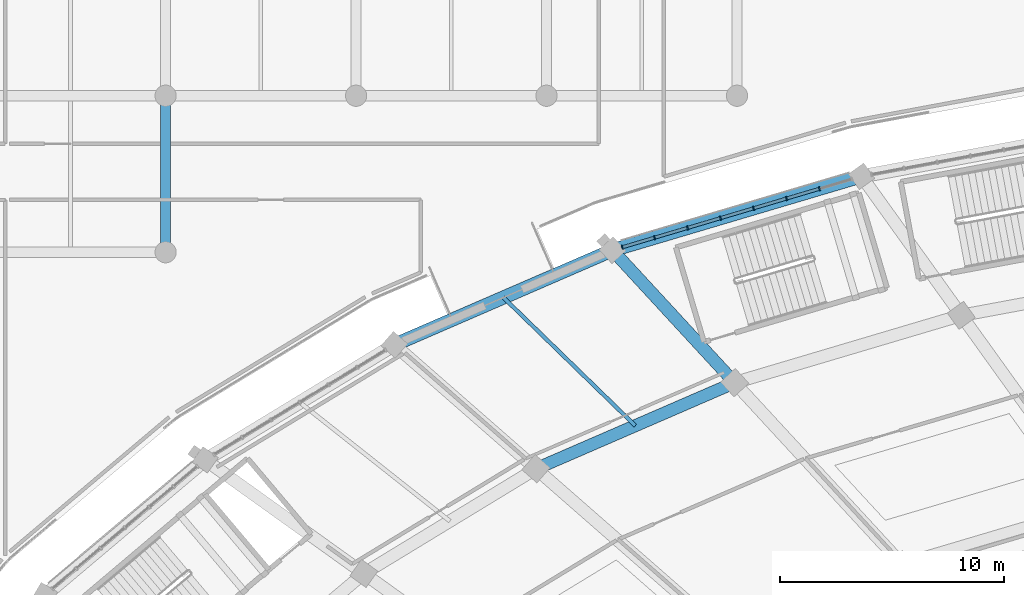
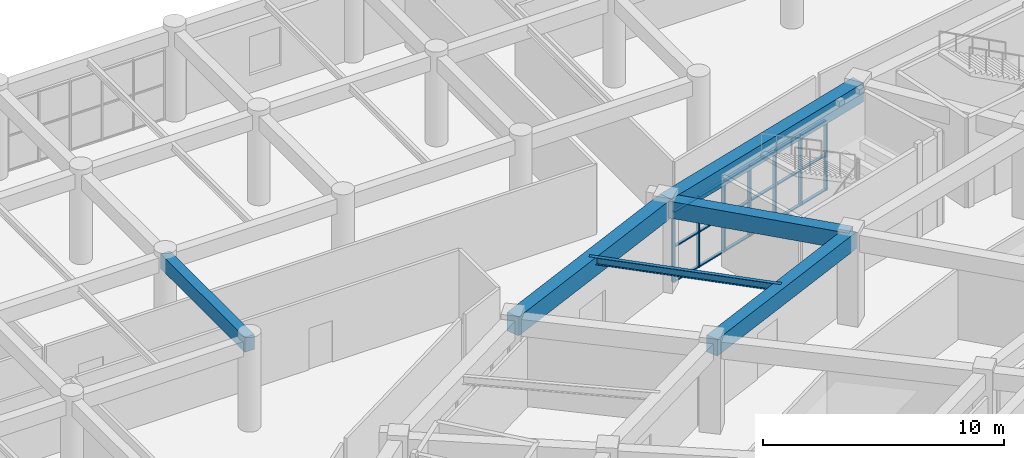
# One storey, part 59 of 152: 25 members, 6 beams, 1 element without a shape of its own.
"""IFC4 building model written with IfcOpenShell, lengths in metres."""

from ifc_helpers import new_model, si_unit, direction, frame, origin, origin_2d, place, context, subcontext, project, spatial, rectangle, i_section, extrude, material, layer, layer_set, material_profile, profile_set, type_object, element, aggregate, save


model = new_model("IFC4")

# Units and contexts
model_context = context("Model", 3, precision=1e-05, world=origin(), true_north=direction((0.0, 1.0)))
body_context = subcontext(model_context, "Body", "Model", "MODEL_VIEW")
ifc_project = project(units=[si_unit("LENGTHUNIT", "METRE"), si_unit("AREAUNIT", "SQUARE_METRE"), si_unit("VOLUMEUNIT", "CUBIC_METRE"), si_unit("PLANEANGLEUNIT", "RADIAN"), si_unit("MASSUNIT", "GRAM", prefix="KILO")], contexts=[model_context])

# Site, building, storey
site_placement = place(None, origin())
site = spatial("IfcSite", under=ifc_project, at=site_placement, CompositionType="ELEMENT")
building_placement = place(site_placement, origin())
building = spatial("IfcBuilding", under=site, at=building_placement, Name="Mphavela Belvedere Stadium", CompositionType="ELEMENT")
storey_placement = place(building_placement, frame((0.0, 0.0, 5.39990234375)))
storey = spatial("IfcBuildingStorey", under=building, at=storey_placement, Name="L01", CompositionType="ELEMENT", Elevation=5.39990234375)

# Beams
ifc_material_1 = material(Name="Concrete C40/50", Category="concrete")
ifc_material_profile_1 = material_profile(ifc_material_1, rectangle(XDim=0.60009765625, YDim=0.949951171875, at=origin_2d()), Name="RC 600x950")
ifc_profile_set_1 = profile_set([ifc_material_profile_1], Name="Concrete C40/50")
beam_type_1 = type_object("IfcBeamType", Name="BM-ENTABLATURE-950", PredefinedType="SPANDREL", material=ifc_profile_set_1)
beam_1_placement = place(storey_placement, frame((65.19873046875, 156.39697265625, 4.0751953125), z_axis=(-0.958656362639, -0.284566298727, 0.0), x_axis=(0.284566298727, -0.958656362639, 0.0)))
element("IfcBeam", 1, at=beam_1_placement, inside=storey, type_object=beam_type_1, Name="Circumferential girder L01 R4-16", PredefinedType="SPANDREL", context=body_context, shape_type="SweptSolid", body=[
    extrude(rectangle(XDim=0.60009765625, YDim=0.949951171875, at=origin_2d()), origin(), (0.0, 0.0, 1.0), 11.616455078125),
])
beam_2_placement = place(storey_placement, frame((54.0625, 153.09130859375, 4.0751953125), z_axis=(-0.91749867224, -0.397738842004, 0.0), x_axis=(0.397738842004, -0.91749867224, 0.0)))
element("IfcBeam", 2, at=beam_2_placement, inside=storey, type_object=beam_type_1, Name="Circumferential girder L01 R4-17", PredefinedType="SPANDREL", context=body_context, shape_type="SweptSolid", body=[
    extrude(rectangle(XDim=0.60009765625, YDim=0.949951171875, at=origin_2d()), origin(), (0.0, 0.0, 1.0), 10.63623046875),
])
ifc_material_2 = material(Name="Steel S355", Category="steel")
ifc_material_profile_2 = material_profile(ifc_material_2, i_section(OverallWidth=0.169921875, OverallDepth=0.360107421875, WebThickness=0.008056640625, FlangeThickness=0.0126953125, at=origin_2d()), Name="IPE 360")
ifc_profile_set_2 = profile_set([ifc_material_profile_2], Name="Steel S355")
beam_type_2 = type_object("IfcBeamType", Name="BM-JOIST-IPE360", PredefinedType="JOIST", material=ifc_profile_set_2)
beam_3_placement = place(storey_placement, frame((55.081787109375, 145.242431640625, 4.3701171875), z_axis=(-0.717067022089, 0.697004222249, 0.0), x_axis=(-0.697004222249, -0.717067022089, 0.0)))
element("IfcBeam", 3, at=beam_3_placement, inside=storey, type_object=beam_type_2, Name="Concourse floor joist L01-17", PredefinedType="JOIST", context=body_context, shape_type="SweptSolid", body=[
    extrude(i_section(OverallWidth=0.169921875, OverallDepth=0.360107421875, WebThickness=0.008056640625, FlangeThickness=0.0126953125, at=origin_2d()), origin(), (0.0, 0.0, 1.0), 8.22607421875),
])
ifc_material_3 = material(Name="Concrete C40/50", Category="concrete")
ifc_material_profile_3 = material_profile(ifc_material_3, rectangle(XDim=0.449951171875, YDim=0.75, at=origin_2d()), Name="RC 450x750")
ifc_profile_set_3 = profile_set([ifc_material_profile_3], Name="Concrete C40/50")
beam_type_3 = type_object("IfcBeamType", Name="BM-RC450x750", PredefinedType="BEAM", material=ifc_profile_set_3)
beam_4_placement = place(storey_placement, frame((34.073974609375, 153.0, 4.1650390625), z_axis=(0.0, 1.0, 0.0), x_axis=(-1.0, 0.0, 0.0)))
element("IfcBeam", 4, at=beam_4_placement, inside=storey, type_object=beam_type_3, Name="North Mast and Ceremonial End Forecourt entablature beam Y L01 5-5", PredefinedType="BEAM", context=body_context, shape_type="SweptSolid", body=[
    extrude(rectangle(XDim=0.449951171875, YDim=0.75, at=origin_2d()), origin(), (0.0, 0.0, 1.0), 7.0),
])
ifc_material_4 = material(Name="Concrete C40/50", Category="concrete")
ifc_material_profile_4 = material_profile(ifc_material_4, rectangle(XDim=0.550048828125, YDim=0.85009765625, at=origin_2d()), Name="RC 550x850")
ifc_profile_set_4 = profile_set([ifc_material_profile_4], Name="Concrete C40/50")
beam_type_4 = type_object("IfcBeamType", Name="BM-RC550x850", PredefinedType="BEAM", material=ifc_profile_set_4)
beam_5_placement = place(storey_placement, frame((59.523681640625, 147.16796875, 4.125), z_axis=(-0.917501650019, -0.397731972832, 0.0), x_axis=(0.397731972832, -0.917501650019, 0.0)))
element("IfcBeam", 5, at=beam_5_placement, inside=storey, type_object=beam_type_4, Name="Circumferential girder L01 R3-17", PredefinedType="BEAM", context=body_context, shape_type="SweptSolid", body=[
    extrude(rectangle(XDim=0.550048828125, YDim=0.85009765625, at=origin_2d()), origin(), (0.0, 0.0, 1.0), 9.6826171875),
])
beam_6_placement = place(storey_placement, frame((59.523681640625, 147.16796875, 4.125), z_axis=(-0.67784325477, 0.735206448532, 0.0), x_axis=(-0.735206448532, -0.67784325477, 0.0)))
element("IfcBeam", 6, at=beam_6_placement, inside=storey, type_object=beam_type_4, Name="Radial concourse girder L01 R3R4-17", PredefinedType="BEAM", context=body_context, shape_type="SweptSolid", body=[
    extrude(rectangle(XDim=0.550048828125, YDim=0.85009765625, at=origin_2d()), origin(), (0.0, 0.0, 1.0), 8.056640625),
])

# Curtain wall, members
ifc_material_5 = material(Name="Anodised bronze unitised curtain wall framing")
ifc_layer = layer(ifc_material_5, 0.195068359375)
ifc_layer_set = layer_set([ifc_layer], Name="Anodised bronze unitised curtain wall framing")
curtain_wall_type = type_object("IfcCurtainWallType", Name="CW-UNIT-04", PredefinedType="USERDEFINED", material=ifc_layer_set)
curtain_wall_placement = place(storey_placement, origin())
curtain_wall = element("IfcCurtainWall", 7, at=curtain_wall_placement, inside=storey, type_object=curtain_wall_type, Name="Belvedere colonnade curtain wall L01-16", ObjectType="UNITISED CURTAIN WALL", PredefinedType="USERDEFINED")
ifc_material_6 = material(Name="Anodised bronze extruded aluminium", Category="aluminium")
ifc_material_profile_5 = material_profile(ifc_material_6, rectangle(XDim=0.179931640625, YDim=0.06494140625, at=origin_2d()), Name="CW-MUL 180x65")
ifc_profile_set_5 = profile_set([ifc_material_profile_5], Name="Anodised bronze extruded aluminium")
member_type_1 = type_object("IfcMemberType", Name="CWM-180x65", PredefinedType="MULLION", material=ifc_profile_set_5)
member_1_placement = place(storey_placement, frame((63.318359375, 155.838623046875, 0.0), z_axis=(0.0, 0.0, 1.0), x_axis=(0.28455109279, -0.958660876219, 0.0)))
member_1 = element("IfcMember", 8, at=member_1_placement, type_object=member_type_1, Name="CW-04 mullion 2", PredefinedType="MULLION", context=body_context, shape_type="SweptSolid", body=[
    extrude(rectangle(XDim=0.179931640625, YDim=0.06494140625, at=origin_2d()), origin(), (0.0, 0.0, 1.0), 3.570068359375),
])
member_2_placement = place(storey_placement, frame((61.84326171875, 155.40087890625, 0.0), z_axis=(0.0, 0.0, 1.0), x_axis=(0.28455109279, -0.958660876219, 0.0)))
member_2 = element("IfcMember", 9, at=member_2_placement, type_object=member_type_1, Name="CW-04 mullion 3", PredefinedType="MULLION", context=body_context, shape_type="SweptSolid", body=[
    extrude(rectangle(XDim=0.179931640625, YDim=0.06494140625, at=origin_2d()), origin(), (0.0, 0.0, 1.0), 3.570068359375),
])
member_3_placement = place(storey_placement, frame((60.3681640625, 154.963134765625, 0.0), z_axis=(0.0, 0.0, 1.0), x_axis=(0.28455109279, -0.958660876219, 0.0)))
member_3 = element("IfcMember", 10, at=member_3_placement, type_object=member_type_1, Name="CW-04 mullion 4", PredefinedType="MULLION", context=body_context, shape_type="SweptSolid", body=[
    extrude(rectangle(XDim=0.179931640625, YDim=0.06494140625, at=origin_2d()), origin(), (0.0, 0.0, 1.0), 3.570068359375),
])
member_4_placement = place(storey_placement, frame((58.89306640625, 154.525146484375, 0.0), z_axis=(0.0, 0.0, 1.0), x_axis=(0.28455109279, -0.958660876219, 0.0)))
member_4 = element("IfcMember", 11, at=member_4_placement, type_object=member_type_1, Name="CW-04 mullion 5", PredefinedType="MULLION", context=body_context, shape_type="SweptSolid", body=[
    extrude(rectangle(XDim=0.179931640625, YDim=0.06494140625, at=origin_2d()), origin(), (0.0, 0.0, 1.0), 3.570068359375),
])
member_5_placement = place(storey_placement, frame((57.41796875, 154.08740234375, 0.0), z_axis=(0.0, 0.0, 1.0), x_axis=(0.28455109279, -0.958660876219, 0.0)))
member_5 = element("IfcMember", 12, at=member_5_placement, type_object=member_type_1, Name="CW-04 mullion 6", PredefinedType="MULLION", context=body_context, shape_type="SweptSolid", body=[
    extrude(rectangle(XDim=0.179931640625, YDim=0.06494140625, at=origin_2d()), origin(), (0.0, 0.0, 1.0), 3.570068359375),
])
member_6_placement = place(storey_placement, frame((55.94287109375, 153.6494140625, 0.0), z_axis=(0.0, 0.0, 1.0), x_axis=(0.28455109279, -0.958660876219, 0.0)))
member_6 = element("IfcMember", 13, at=member_6_placement, type_object=member_type_1, Name="CW-04 mullion 7", PredefinedType="MULLION", context=body_context, shape_type="SweptSolid", body=[
    extrude(rectangle(XDim=0.179931640625, YDim=0.06494140625, at=origin_2d()), origin(), (0.0, 0.0, 1.0), 3.570068359375),
])
member_7_placement = place(storey_placement, frame((54.4990234375, 153.220947265625, 0.0), z_axis=(0.0, 0.0, 1.0), x_axis=(0.28455109279, -0.958660876219, 0.0)))
member_7 = element("IfcMember", 14, at=member_7_placement, type_object=member_type_1, Name="CW-04 mullion 8", PredefinedType="MULLION", context=body_context, shape_type="SweptSolid", body=[
    extrude(rectangle(XDim=0.179931640625, YDim=0.06494140625, at=origin_2d()), origin(), (0.0, 0.0, 1.0), 3.570068359375),
])
ifc_material_7 = material(Name="Anodised bronze extruded aluminium", Category="aluminium")
ifc_material_profile_6 = material_profile(ifc_material_7, rectangle(XDim=0.139892578125, YDim=0.06005859375, at=origin_2d()), Name="CW-TRN 140x60")
ifc_profile_set_6 = profile_set([ifc_material_profile_6], Name="Anodised bronze extruded aluminium")
member_type_2 = type_object("IfcMemberType", Name="CWT-140x60", PredefinedType="USERDEFINED", material=ifc_profile_set_6)
member_8_placement = place(storey_placement, frame((63.287109375, 155.829345703125, 0.030029296875), z_axis=(-0.958692757782, -0.284443660811, 0.0), x_axis=(0.284443660811, -0.958692757782, 0.0)))
member_8 = element("IfcMember", 15, at=member_8_placement, type_object=member_type_2, Name="CW-04 transom 2.1", ObjectType="TRANSOM", PredefinedType="USERDEFINED", context=body_context, shape_type="SweptSolid", body=[
    extrude(rectangle(XDim=0.139892578125, YDim=0.06005859375, at=origin_2d()), origin(), (0.0, 0.0, 1.0), 1.4736328125),
])
member_9_placement = place(storey_placement, frame((63.287109375, 155.829345703125, 1.78515625), z_axis=(-0.958692757782, -0.284443660811, 0.0), x_axis=(0.284443660811, -0.958692757782, 0.0)))
member_9 = element("IfcMember", 16, at=member_9_placement, type_object=member_type_2, Name="CW-04 transom 2.2", ObjectType="TRANSOM", PredefinedType="USERDEFINED", context=body_context, shape_type="SweptSolid", body=[
    extrude(rectangle(XDim=0.139892578125, YDim=0.06005859375, at=origin_2d()), origin(), (0.0, 0.0, 1.0), 1.4736328125),
])
member_10_placement = place(storey_placement, frame((63.287109375, 155.829345703125, 3.5400390625), z_axis=(-0.958692757782, -0.284443660811, 0.0), x_axis=(0.284443660811, -0.958692757782, 0.0)))
member_10 = element("IfcMember", 17, at=member_10_placement, type_object=member_type_2, Name="CW-04 transom 2.3", ObjectType="TRANSOM", PredefinedType="USERDEFINED", context=body_context, shape_type="SweptSolid", body=[
    extrude(rectangle(XDim=0.139892578125, YDim=0.06005859375, at=origin_2d()), origin(), (0.0, 0.0, 1.0), 1.4736328125),
])
member_11_placement = place(storey_placement, frame((61.81201171875, 155.3916015625, 0.030029296875), z_axis=(-0.958647572457, -0.284595909708, 0.0), x_axis=(0.284595909708, -0.958647572457, 0.0)))
member_11 = element("IfcMember", 18, at=member_11_placement, type_object=member_type_2, Name="CW-04 transom 3.1", ObjectType="TRANSOM", PredefinedType="USERDEFINED", context=body_context, shape_type="SweptSolid", body=[
    extrude(rectangle(XDim=0.139892578125, YDim=0.06005859375, at=origin_2d()), origin(), (0.0, 0.0, 1.0), 1.473876953125),
])
member_12_placement = place(storey_placement, frame((61.81201171875, 155.3916015625, 1.78515625), z_axis=(-0.958647572457, -0.284595909708, 0.0), x_axis=(0.284595909708, -0.958647572457, 0.0)))
member_12 = element("IfcMember", 19, at=member_12_placement, type_object=member_type_2, Name="CW-04 transom 3.2", ObjectType="TRANSOM", PredefinedType="USERDEFINED", context=body_context, shape_type="SweptSolid", body=[
    extrude(rectangle(XDim=0.139892578125, YDim=0.06005859375, at=origin_2d()), origin(), (0.0, 0.0, 1.0), 1.473876953125),
])
member_13_placement = place(storey_placement, frame((61.81201171875, 155.3916015625, 3.5400390625), z_axis=(-0.958647572457, -0.284595909708, 0.0), x_axis=(0.284595909708, -0.958647572457, 0.0)))
member_13 = element("IfcMember", 20, at=member_13_placement, type_object=member_type_2, Name="CW-04 transom 3.3", ObjectType="TRANSOM", PredefinedType="USERDEFINED", context=body_context, shape_type="SweptSolid", body=[
    extrude(rectangle(XDim=0.139892578125, YDim=0.06005859375, at=origin_2d()), origin(), (0.0, 0.0, 1.0), 1.473876953125),
])
member_14_placement = place(storey_placement, frame((60.3369140625, 154.953857421875, 0.030029296875), z_axis=(-0.958634152032, -0.284641111855, 0.0), x_axis=(0.284641111855, -0.958634152032, 0.0)))
member_14 = element("IfcMember", 21, at=member_14_placement, type_object=member_type_2, Name="CW-04 transom 4.1", ObjectType="TRANSOM", PredefinedType="USERDEFINED", context=body_context, shape_type="SweptSolid", body=[
    extrude(rectangle(XDim=0.139892578125, YDim=0.06005859375, at=origin_2d()), origin(), (0.0, 0.0, 1.0), 1.4736328125),
])
member_15_placement = place(storey_placement, frame((60.3369140625, 154.953857421875, 1.78515625), z_axis=(-0.958634152032, -0.284641111855, 0.0), x_axis=(0.284641111855, -0.958634152032, 0.0)))
member_15 = element("IfcMember", 22, at=member_15_placement, type_object=member_type_2, Name="CW-04 transom 4.2", ObjectType="TRANSOM", PredefinedType="USERDEFINED", context=body_context, shape_type="SweptSolid", body=[
    extrude(rectangle(XDim=0.139892578125, YDim=0.06005859375, at=origin_2d()), origin(), (0.0, 0.0, 1.0), 1.4736328125),
])
member_16_placement = place(storey_placement, frame((60.3369140625, 154.953857421875, 3.5400390625), z_axis=(-0.958634152032, -0.284641111855, 0.0), x_axis=(0.284641111855, -0.958634152032, 0.0)))
member_16 = element("IfcMember", 23, at=member_16_placement, type_object=member_type_2, Name="CW-04 transom 4.3", ObjectType="TRANSOM", PredefinedType="USERDEFINED", context=body_context, shape_type="SweptSolid", body=[
    extrude(rectangle(XDim=0.139892578125, YDim=0.06005859375, at=origin_2d()), origin(), (0.0, 0.0, 1.0), 1.4736328125),
])
member_17_placement = place(storey_placement, frame((58.86181640625, 154.515869140625, 0.030029296875), z_axis=(-0.958679351081, -0.284488843036, 0.0), x_axis=(0.284488843036, -0.958679351081, 0.0)))
member_17 = element("IfcMember", 24, at=member_17_placement, type_object=member_type_2, Name="CW-04 transom 5.1", ObjectType="TRANSOM", PredefinedType="USERDEFINED", context=body_context, shape_type="SweptSolid", body=[
    extrude(rectangle(XDim=0.139892578125, YDim=0.06005859375, at=origin_2d()), origin(), (0.0, 0.0, 1.0), 1.473388671875),
])
member_18_placement = place(storey_placement, frame((58.86181640625, 154.515869140625, 1.78515625), z_axis=(-0.958679351081, -0.284488843036, 0.0), x_axis=(0.284488843036, -0.958679351081, 0.0)))
member_18 = element("IfcMember", 25, at=member_18_placement, type_object=member_type_2, Name="CW-04 transom 5.2", ObjectType="TRANSOM", PredefinedType="USERDEFINED", context=body_context, shape_type="SweptSolid", body=[
    extrude(rectangle(XDim=0.139892578125, YDim=0.06005859375, at=origin_2d()), origin(), (0.0, 0.0, 1.0), 1.473388671875),
])
member_19_placement = place(storey_placement, frame((58.86181640625, 154.515869140625, 3.5400390625), z_axis=(-0.958679351081, -0.284488843036, 0.0), x_axis=(0.284488843036, -0.958679351081, 0.0)))
member_19 = element("IfcMember", 26, at=member_19_placement, type_object=member_type_2, Name="CW-04 transom 5.3", ObjectType="TRANSOM", PredefinedType="USERDEFINED", context=body_context, shape_type="SweptSolid", body=[
    extrude(rectangle(XDim=0.139892578125, YDim=0.06005859375, at=origin_2d()), origin(), (0.0, 0.0, 1.0), 1.473388671875),
])
member_20_placement = place(storey_placement, frame((57.386962890625, 154.078125, 0.030029296875), z_axis=(-0.958647572457, -0.284595909708, 0.0), x_axis=(0.284595909708, -0.958647572457, 0.0)))
member_20 = element("IfcMember", 27, at=member_20_placement, type_object=member_type_2, Name="CW-04 transom 6.1", ObjectType="TRANSOM", PredefinedType="USERDEFINED", context=body_context, shape_type="SweptSolid", body=[
    extrude(rectangle(XDim=0.139892578125, YDim=0.06005859375, at=origin_2d()), origin(), (0.0, 0.0, 1.0), 1.473876953125),
])
member_21_placement = place(storey_placement, frame((57.386962890625, 154.078125, 1.78515625), z_axis=(-0.958647572457, -0.284595909708, 0.0), x_axis=(0.284595909708, -0.958647572457, 0.0)))
member_21 = element("IfcMember", 28, at=member_21_placement, type_object=member_type_2, Name="CW-04 transom 6.2", ObjectType="TRANSOM", PredefinedType="USERDEFINED", context=body_context, shape_type="SweptSolid", body=[
    extrude(rectangle(XDim=0.139892578125, YDim=0.06005859375, at=origin_2d()), origin(), (0.0, 0.0, 1.0), 1.473876953125),
])
member_22_placement = place(storey_placement, frame((57.386962890625, 154.078125, 3.5400390625), z_axis=(-0.958647572457, -0.284595909708, 0.0), x_axis=(0.284595909708, -0.958647572457, 0.0)))
member_22 = element("IfcMember", 29, at=member_22_placement, type_object=member_type_2, Name="CW-04 transom 6.3", ObjectType="TRANSOM", PredefinedType="USERDEFINED", context=body_context, shape_type="SweptSolid", body=[
    extrude(rectangle(XDim=0.139892578125, YDim=0.06005859375, at=origin_2d()), origin(), (0.0, 0.0, 1.0), 1.473876953125),
])
member_23_placement = place(storey_placement, frame((55.911865234375, 153.640380859375, 0.030029296875), z_axis=(-0.95864758843, -0.284595855904, 0.0), x_axis=(0.284595855904, -0.95864758843, 0.0)))
member_23 = element("IfcMember", 30, at=member_23_placement, type_object=member_type_2, Name="CW-04 transom 7.1", ObjectType="TRANSOM", PredefinedType="USERDEFINED", context=body_context, shape_type="SweptSolid", body=[
    extrude(rectangle(XDim=0.139892578125, YDim=0.06005859375, at=origin_2d()), origin(), (0.0, 0.0, 1.0), 1.441162109375),
])
member_24_placement = place(storey_placement, frame((55.911865234375, 153.640380859375, 1.78515625), z_axis=(-0.95864758843, -0.284595855904, 0.0), x_axis=(0.284595855904, -0.95864758843, 0.0)))
member_24 = element("IfcMember", 31, at=member_24_placement, type_object=member_type_2, Name="CW-04 transom 7.2", ObjectType="TRANSOM", PredefinedType="USERDEFINED", context=body_context, shape_type="SweptSolid", body=[
    extrude(rectangle(XDim=0.139892578125, YDim=0.06005859375, at=origin_2d()), origin(), (0.0, 0.0, 1.0), 1.441162109375),
])
member_25_placement = place(storey_placement, frame((55.911865234375, 153.640380859375, 3.5400390625), z_axis=(-0.95864758843, -0.284595855904, 0.0), x_axis=(0.284595855904, -0.95864758843, 0.0)))
member_25 = element("IfcMember", 32, at=member_25_placement, type_object=member_type_2, Name="CW-04 transom 7.3", ObjectType="TRANSOM", PredefinedType="USERDEFINED", context=body_context, shape_type="SweptSolid", body=[
    extrude(rectangle(XDim=0.139892578125, YDim=0.06005859375, at=origin_2d()), origin(), (0.0, 0.0, 1.0), 1.441162109375),
])
aggregate(curtain_wall, [member_1, member_2, member_3, member_4, member_5, member_6, member_7, member_8, member_9, member_10, member_11, member_12, member_13, member_14, member_15, member_16, member_17, member_18, member_19, member_20, member_21, member_22, member_23, member_24, member_25])

save(model, "model.ifc")
